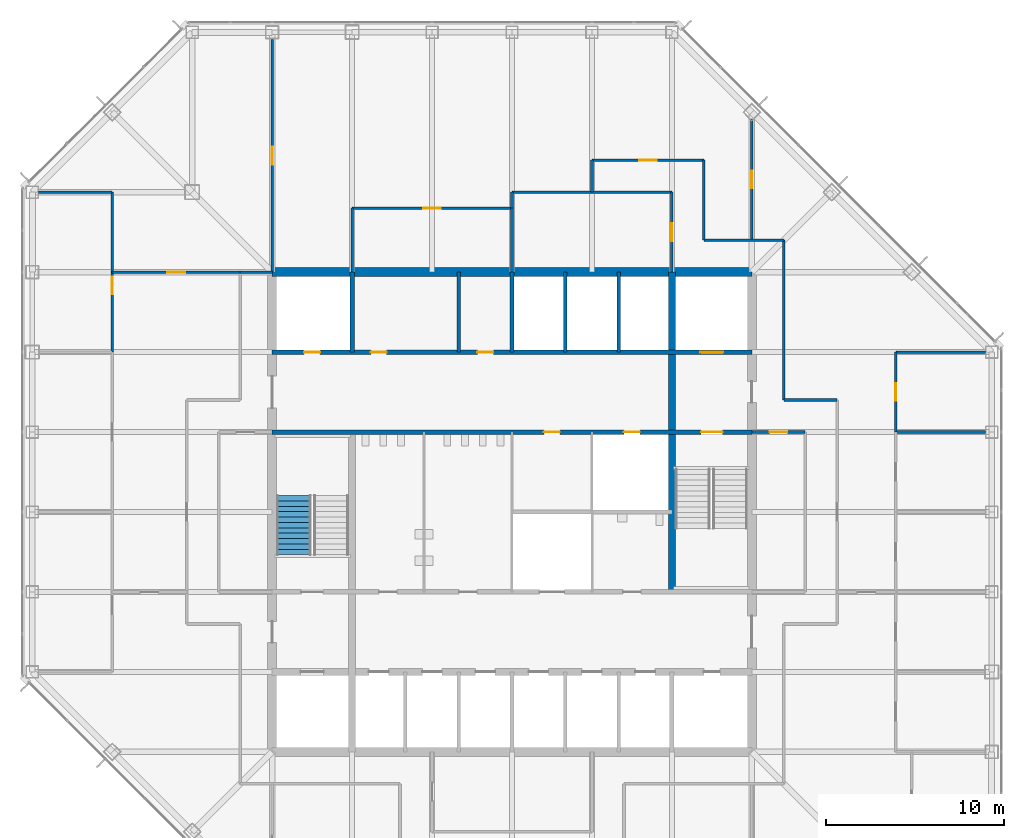
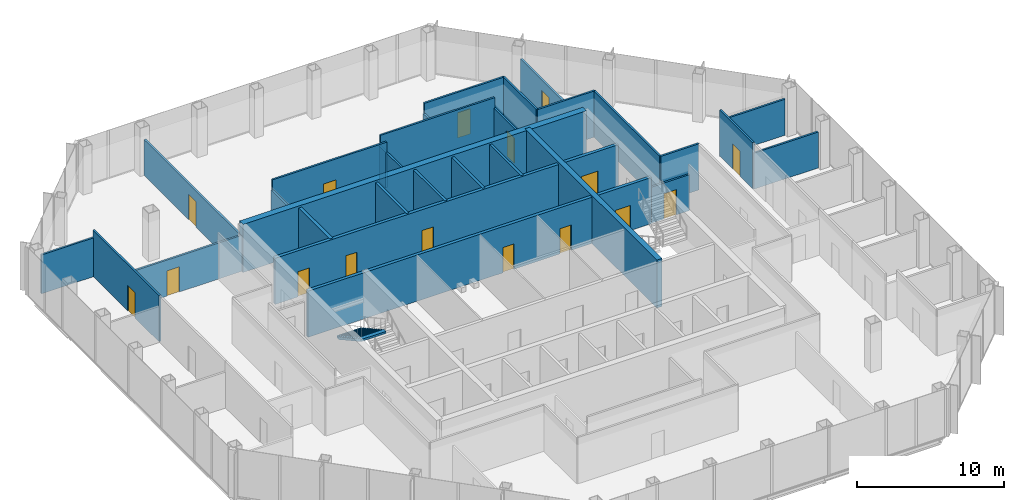
# One storey, part 10 of 13: 31 walls, 16 doors, 1 stair flight, 16 openings, 1 element without a shape of its own.
"""IFC4 building model written with IfcOpenShell, lengths in metres."""

from ifc_helpers import new_model, si_unit, direction, frame, frame_2d, origin, place, context, subcontext, project, spatial, polyline, rectangle, outline, extrude, material, layer, layer_set, type_object, element, fill, aggregate, save


model = new_model("IFC4")

# Units and contexts
model_context = context("Model", 3, precision=1e-05, world=origin(), true_north=direction((0.0, 1.0)))
body_context = subcontext(model_context, "Body", "Model", "MODEL_VIEW")
ifc_project = project(units=[si_unit("LENGTHUNIT", "METRE"), si_unit("AREAUNIT", "SQUARE_METRE"), si_unit("VOLUMEUNIT", "CUBIC_METRE"), si_unit("PLANEANGLEUNIT", "RADIAN"), si_unit("MASSUNIT", "GRAM", prefix="KILO")], contexts=[model_context])

# Site, building, storey
site_placement = place(None, origin())
site = spatial("IfcSite", under=ifc_project, at=site_placement, CompositionType="ELEMENT")
building_placement = place(site_placement, origin())
building = spatial("IfcBuilding", under=site, at=building_placement, Name="Corais Broadcast Tower", CompositionType="ELEMENT")
storey_placement = place(building_placement, frame((0.0, 0.0, 179.60009765625)))
storey = spatial("IfcBuildingStorey", under=building, at=storey_placement, Name="L41", CompositionType="ELEMENT", Elevation=179.60009765625)

# Wall
ifc_material_1 = material(Name="Concrete blockwork class A, grouted, two-hour", Category="masonry")
ifc_layer_1 = layer(ifc_material_1, 0.25)
ifc_layer_set_1 = layer_set([ifc_layer_1], Name="Concrete blockwork class A, grouted, two-hour")
wall_type_1 = type_object("IfcWallType", Name="Core lobby wall 250", PredefinedType="SOLIDWALL", material=ifc_layer_set_1)
wall_1_placement = place(storey_placement, frame((18.0, 36.0, 0.0), z_axis=(0.0, 0.0, 1.0), x_axis=(0.0, 1.0, 0.0)))
element("IfcWall", 1, at=wall_1_placement, inside=storey, type_object=wall_type_1, Name="CL2 core shaft wall X18B L41", PredefinedType="SOLIDWALL", context=body_context, shape_type="SweptSolid", body=[
    extrude(rectangle(XDim=4.5, YDim=0.25, at=frame_2d((2.25, 0.0))), origin(), (0.0, 0.0, 1.0), 3.83984375),
])

# Wall, openings, doors
wall_2_placement = place(storey_placement, frame((13.5, 31.5, 0.0), z_axis=(0.0, 0.0, 1.0), x_axis=(1.0, 0.0, 0.0)))
wall_2 = element("IfcWall", 2, at=wall_2_placement, inside=storey, type_object=wall_type_1, Name="CL2 core lobby wall Y315 L41", PredefinedType="SOLIDWALL", context=body_context, shape_type="SweptSolid", body=[
    extrude(rectangle(XDim=27.0, YDim=0.25, at=frame_2d((13.5, 0.0))), origin(), (0.0, 0.0, 1.0), 3.83984375),
])
opening_1_placement = place(wall_2_placement, frame((24.14990234375, 0.0, 0.0)))
opening_1 = element("IfcOpeningElement", 3, at=opening_1_placement, cuts=wall_2, Name="Opening FD1", PredefinedType="OPENING", context=body_context, shape_type="SweptSolid", body=[
    extrude(rectangle(XDim=1.199951171875, YDim=2.10009765625, at=frame_2d((0.60009765625, 1.050048828125))), frame((0.0, 0.135009765625, 0.0), z_axis=(0.0, -1.0, 0.0), x_axis=(1.0, 0.0, 0.0)), (0.0, 0.0, 1.0), 0.27001953125),
])
opening_2_placement = place(wall_2_placement, frame((15.300048828125, 0.0, 0.0)))
opening_2 = element("IfcOpeningElement", 4, at=opening_2_placement, cuts=wall_2, Name="Opening RD1", PredefinedType="OPENING", context=body_context, shape_type="SweptSolid", body=[
    extrude(rectangle(XDim=0.89990234375, YDim=2.10009765625, at=frame_2d((0.449951171875, 1.050048828125))), frame((0.0, 0.135009765625, 0.0), z_axis=(0.0, -1.0, 0.0), x_axis=(1.0, 0.0, 0.0)), (0.0, 0.0, 1.0), 0.27001953125),
])
opening_3_placement = place(wall_2_placement, frame((19.800048828125, 0.0, 0.0)))
opening_3 = element("IfcOpeningElement", 5, at=opening_3_placement, cuts=wall_2, Name="Opening RD1", PredefinedType="OPENING", context=body_context, shape_type="SweptSolid", body=[
    extrude(rectangle(XDim=0.89990234375, YDim=2.10009765625, at=frame_2d((0.449951171875, 1.050048828125))), frame((0.0, 0.135009765625, 0.0), z_axis=(0.0, -1.0, 0.0), x_axis=(1.0, 0.0, 0.0)), (0.0, 0.0, 1.0), 0.27001953125),
])
ifc_material_2 = material(Name="Steel fire door", Category="steel")
door_type_1 = type_object("IfcDoorType", Name="Fire door 1200x2100", OperationType="SINGLE_SWING_LEFT", PredefinedType="DOOR", material=ifc_material_2)
door_1_placement = place(opening_1_placement, origin())
door_1 = element("IfcDoor", 6, at=door_1_placement, inside=storey, type_object=door_type_1, Name="FD1 stair B door L41", OperationType="SINGLE_SWING_RIGHT", OverallHeight=2.10009765625, OverallWidth=1.199951171875, PredefinedType="DOOR", context=body_context, shape_type="SweptSolid", body=[
    extrude(rectangle(XDim=1.199951171875, YDim=2.10009765625, at=frame_2d((0.60009765625, 1.050048828125))), frame((0.0, 0.02490234375, 0.0), z_axis=(0.0, -1.0, 0.0), x_axis=(1.0, 0.0, 0.0)), (0.0, 0.0, 1.0), 0.050048828125),
])
fill(opening_1, door_1)
ifc_material_3 = material(Name="Steel fire door", Category="steel")
door_type_2 = type_object("IfcDoorType", Name="Riser door 900x2100", OperationType="SINGLE_SWING_LEFT", PredefinedType="DOOR", material=ifc_material_3)
door_2_placement = place(opening_2_placement, origin())
door_2 = element("IfcDoor", 7, at=door_2_placement, inside=storey, type_object=door_type_2, Name="RD1 tea point door L41", OperationType="SINGLE_SWING_RIGHT", OverallHeight=2.10009765625, OverallWidth=0.89990234375, PredefinedType="DOOR", context=body_context, shape_type="SweptSolid", body=[
    extrude(rectangle(XDim=0.89990234375, YDim=2.10009765625, at=frame_2d((0.449951171875, 1.050048828125))), frame((0.0, 0.02490234375, 0.0), z_axis=(0.0, -1.0, 0.0), x_axis=(1.0, 0.0, 0.0)), (0.0, 0.0, 1.0), 0.050048828125),
])
fill(opening_2, door_2)
door_3_placement = place(opening_3_placement, origin())
door_3 = element("IfcDoor", 8, at=door_3_placement, inside=storey, type_object=door_type_2, Name="RD1 riser door L41", OperationType="SINGLE_SWING_RIGHT", OverallHeight=2.10009765625, OverallWidth=0.89990234375, PredefinedType="DOOR", context=body_context, shape_type="SweptSolid", body=[
    extrude(rectangle(XDim=0.89990234375, YDim=2.10009765625, at=frame_2d((0.449951171875, 1.050048828125))), frame((0.0, 0.02490234375, 0.0), z_axis=(0.0, -1.0, 0.0), x_axis=(1.0, 0.0, 0.0)), (0.0, 0.0, 1.0), 0.050048828125),
])
fill(opening_3, door_3)

# Walls
ifc_material_4 = material(Name="Concrete C50/60", Category="concrete")
ifc_layer_2 = layer(ifc_material_4, 0.39990234375)
ifc_layer_set_2 = layer_set([ifc_layer_2], Name="Concrete C50/60")
wall_type_2 = type_object("IfcWallType", Name="Core wall 400", PredefinedType="SHEAR", material=ifc_layer_set_2)
wall_3_placement = place(storey_placement, frame((36.0, 22.5, 0.0), z_axis=(0.0, 0.0, 1.0), x_axis=(0.0, 1.0, 0.0)))
element("IfcWall", 9, at=wall_3_placement, inside=storey, type_object=wall_type_2, Name="CR400 core wall X36B L41", PredefinedType="SHEAR", context=body_context, shape_type="SweptSolid", body=[
    extrude(rectangle(XDim=18.0, YDim=0.39990234375, at=frame_2d((9.0, 0.0))), origin(), (0.0, 0.0, 1.0), 4.0),
])
ifc_material_5 = material(Name="Concrete C50/60", Category="concrete")
ifc_layer_3 = layer(ifc_material_5, 0.5)
ifc_layer_set_3 = layer_set([ifc_layer_3], Name="Concrete C50/60")
wall_type_3 = type_object("IfcWallType", Name="Core wall 500", PredefinedType="SHEAR", material=ifc_layer_set_3)
wall_4_placement = place(storey_placement, frame((40.5, 40.5, 0.0), z_axis=(0.0, 0.0, 1.0), x_axis=(-1.0, 0.0, 0.0)))
element("IfcWall", 10, at=wall_4_placement, inside=storey, type_object=wall_type_3, Name="CR500 core wall N L41", PredefinedType="SHEAR", context=body_context, shape_type="SweptSolid", body=[
    extrude(rectangle(XDim=27.0, YDim=0.5, at=frame_2d((13.5, 0.0))), origin(), (0.0, 0.0, 1.0), 4.0),
])

# Wall, openings, doors
ifc_material_6 = material(Name="Concrete blockwork class A, grouted, four-hour", Category="masonry")
ifc_layer_4 = layer(ifc_material_6, 0.25)
ifc_layer_set_4 = layer_set([ifc_layer_4], Name="Concrete blockwork class A, grouted, four-hour")
wall_type_4 = type_object("IfcWallType", Name="Emergency lift shaft wall 250", PredefinedType="SOLIDWALL", material=ifc_layer_set_4)
wall_5_placement = place(storey_placement, frame((13.5, 36.0, 0.0), z_axis=(0.0, 0.0, 1.0), x_axis=(1.0, 0.0, 0.0)))
wall_5 = element("IfcWall", 11, at=wall_5_placement, inside=storey, type_object=wall_type_4, Name="LS2 core lobby wall Y36 L41", PredefinedType="SOLIDWALL", context=body_context, shape_type="SweptSolid", body=[
    extrude(rectangle(XDim=27.0, YDim=0.25, at=frame_2d((13.5, 0.0))), origin(), (0.0, 0.0, 1.0), 3.83984375),
])
opening_4_placement = place(wall_5_placement, frame((1.800048828125, 0.0, 0.0)))
opening_4 = element("IfcOpeningElement", 12, at=opening_4_placement, cuts=wall_5, Name="Opening RD1", PredefinedType="OPENING", context=body_context, shape_type="SweptSolid", body=[
    extrude(rectangle(XDim=0.89990234375, YDim=2.10009765625, at=frame_2d((0.449951171875, 1.050048828125))), frame((0.0, 0.135009765625, 0.0), z_axis=(0.0, -1.0, 0.0), x_axis=(1.0, 0.0, 0.0)), (0.0, 0.0, 1.0), 0.27001953125),
])
opening_5_placement = place(wall_5_placement, frame((5.550048828125, 0.0, 0.0)))
opening_5 = element("IfcOpeningElement", 13, at=opening_5_placement, cuts=wall_5, Name="Opening RD1", PredefinedType="OPENING", context=body_context, shape_type="SweptSolid", body=[
    extrude(rectangle(XDim=0.89990234375, YDim=2.10009765625, at=frame_2d((0.449951171875, 1.050048828125))), frame((0.0, 0.135009765625, 0.0), z_axis=(0.0, -1.0, 0.0), x_axis=(1.0, 0.0, 0.0)), (0.0, 0.0, 1.0), 0.27001953125),
])
opening_6_placement = place(wall_5_placement, frame((11.550048828125, 0.0, 0.0)))
opening_6 = element("IfcOpeningElement", 14, at=opening_6_placement, cuts=wall_5, Name="Opening RD1", PredefinedType="OPENING", context=body_context, shape_type="SweptSolid", body=[
    extrude(rectangle(XDim=0.89990234375, YDim=2.10009765625, at=frame_2d((0.449951171875, 1.050048828125))), frame((0.0, 0.135009765625, 0.0), z_axis=(0.0, -1.0, 0.0), x_axis=(1.0, 0.0, 0.0)), (0.0, 0.0, 1.0), 0.27001953125),
])
opening_7_placement = place(wall_5_placement, frame((24.10009765625, 0.0, 0.0)))
opening_7 = element("IfcOpeningElement", 15, at=opening_7_placement, cuts=wall_5, Name="Opening LD2", PredefinedType="OPENING", context=body_context, shape_type="SweptSolid", body=[
    extrude(rectangle(XDim=1.300048828125, YDim=2.199951171875, at=frame_2d((0.64990234375, 1.10009765625))), frame((0.0, 0.135009765625, 0.0), z_axis=(0.0, -1.0, 0.0), x_axis=(1.0, 0.0, 0.0)), (0.0, 0.0, 1.0), 0.27001953125),
])
ifc_material_7 = material(Name="Stainless steel lift door", Category="steel")
door_type_3 = type_object("IfcDoorType", Name="Lift landing door 1300x2200", OperationType="SLIDING_TO_LEFT", PredefinedType="DOOR", material=ifc_material_7)
door_4_placement = place(opening_7_placement, origin())
door_4 = element("IfcDoor", 16, at=door_4_placement, inside=storey, type_object=door_type_3, Name="LD2 FL2 landing door L41", OperationType="SLIDING_TO_LEFT", OverallHeight=2.199951171875, OverallWidth=1.300048828125, PredefinedType="DOOR", context=body_context, shape_type="SweptSolid", body=[
    extrude(rectangle(XDim=1.300048828125, YDim=2.199951171875, at=frame_2d((0.64990234375, 1.10009765625))), frame((0.0, 0.02490234375, 0.0), z_axis=(0.0, -1.0, 0.0), x_axis=(1.0, 0.0, 0.0)), (0.0, 0.0, 1.0), 0.050048828125),
])
fill(opening_7, door_4)
door_5_placement = place(opening_4_placement, origin())
door_5 = element("IfcDoor", 17, at=door_5_placement, inside=storey, type_object=door_type_2, Name="RD1 riser door L41", OperationType="SINGLE_SWING_LEFT", OverallHeight=2.10009765625, OverallWidth=0.89990234375, PredefinedType="DOOR", context=body_context, shape_type="SweptSolid", body=[
    extrude(rectangle(XDim=0.89990234375, YDim=2.10009765625, at=frame_2d((0.449951171875, 1.050048828125))), frame((0.0, 0.02490234375, 0.0), z_axis=(0.0, -1.0, 0.0), x_axis=(1.0, 0.0, 0.0)), (0.0, 0.0, 1.0), 0.050048828125),
])
fill(opening_4, door_5)
door_6_placement = place(opening_5_placement, origin())
door_6 = element("IfcDoor", 18, at=door_6_placement, inside=storey, type_object=door_type_2, Name="RD1 stationery store door L41", OperationType="SINGLE_SWING_LEFT", OverallHeight=2.10009765625, OverallWidth=0.89990234375, PredefinedType="DOOR", context=body_context, shape_type="SweptSolid", body=[
    extrude(rectangle(XDim=0.89990234375, YDim=2.10009765625, at=frame_2d((0.449951171875, 1.050048828125))), frame((0.0, 0.02490234375, 0.0), z_axis=(0.0, -1.0, 0.0), x_axis=(1.0, 0.0, 0.0)), (0.0, 0.0, 1.0), 0.050048828125),
])
fill(opening_5, door_6)
door_7_placement = place(opening_6_placement, origin())
door_7 = element("IfcDoor", 19, at=door_7_placement, inside=storey, type_object=door_type_2, Name="RD1 vending room door L41", OperationType="SINGLE_SWING_LEFT", OverallHeight=2.10009765625, OverallWidth=0.89990234375, PredefinedType="DOOR", context=body_context, shape_type="SweptSolid", body=[
    extrude(rectangle(XDim=0.89990234375, YDim=2.10009765625, at=frame_2d((0.449951171875, 1.050048828125))), frame((0.0, 0.02490234375, 0.0), z_axis=(0.0, -1.0, 0.0), x_axis=(1.0, 0.0, 0.0)), (0.0, 0.0, 1.0), 0.050048828125),
])
fill(opening_6, door_7)

# Wall
ifc_material_8 = material(Name="Gypsum board on steel studs", Category="steel")
ifc_layer_5 = layer(ifc_material_8, 0.14990234375)
ifc_layer_set_5 = layer_set([ifc_layer_5], Name="Gypsum board on steel studs")
wall_type_5 = type_object("IfcWallType", Name="Partition 150", PredefinedType="PARTITIONING", material=ifc_layer_set_5)
wall_6_placement = place(storey_placement, frame((42.300048828125, 33.300048828125, 0.0), z_axis=(0.0, 0.0, 1.0), x_axis=(0.0, 1.0, 0.0)))
element("IfcWall", 20, at=wall_6_placement, inside=storey, type_object=wall_type_5, Name="IW3 corridor wall L41", PredefinedType="PARTITIONING", context=body_context, shape_type="SweptSolid", body=[
    extrude(rectangle(XDim=9.0, YDim=0.14990234375, at=frame_2d((4.5, 0.0))), origin(), (0.0, 0.0, 1.0), 3.83984375),
])

# Wall, opening, door
wall_7_placement = place(storey_placement, frame((37.800048828125, 46.800048828125, 0.0), z_axis=(0.0, 0.0, 1.0), x_axis=(-1.0, 0.0, 0.0)))
wall_7 = element("IfcWall", 21, at=wall_7_placement, inside=storey, type_object=wall_type_5, Name="IW3 corridor wall L41", PredefinedType="PARTITIONING", context=body_context, shape_type="SweptSolid", body=[
    extrude(rectangle(XDim=6.300048828125, YDim=0.14990234375, at=frame_2d((3.14990234375, 0.0))), origin(), (0.0, 0.0, 1.0), 3.83984375),
])
opening_8_placement = place(wall_7_placement, frame((2.64990234375, 0.0, 0.0)))
opening_8 = element("IfcOpeningElement", 22, at=opening_8_placement, cuts=wall_7, Name="Opening D1", PredefinedType="OPENING", context=body_context, shape_type="SweptSolid", body=[
    extrude(rectangle(XDim=1.0, YDim=2.10009765625, at=frame_2d((0.5, 1.050048828125))), frame((0.0, 0.0849609375, 0.0), z_axis=(0.0, -1.0, 0.0), x_axis=(1.0, 0.0, 0.0)), (0.0, 0.0, 1.0), 0.169921875),
])
ifc_material_9 = material(Name="Timber door", Category="wood")
door_type_4 = type_object("IfcDoorType", Name="Single door 1000x2100", OperationType="SINGLE_SWING_LEFT", PredefinedType="DOOR", material=ifc_material_9)
door_8_placement = place(opening_8_placement, origin())
door_8 = element("IfcDoor", 23, at=door_8_placement, inside=storey, type_object=door_type_4, Name="D1 workplace door L41", OperationType="SINGLE_SWING_LEFT", OverallHeight=2.10009765625, OverallWidth=1.0, PredefinedType="DOOR", context=body_context, shape_type="SweptSolid", body=[
    extrude(rectangle(XDim=1.0, YDim=2.10009765625, at=frame_2d((0.5, 1.050048828125))), frame((0.0, 0.02490234375, 0.0), z_axis=(0.0, -1.0, 0.0), x_axis=(1.0, 0.0, 0.0)), (0.0, 0.0, 1.0), 0.050048828125),
])
fill(opening_8, door_8)

# Walls
for number, where, z_axis, x_axis, name in (
    (24, (37.800048828125, 42.300048828125, 0.0), (0.0, 0.0, 1.0), (0.0, 1.0, 0.0), "IW3 corridor wall L41"),
    (25, (42.300048828125, 42.300048828125, 0.0), (0.0, 0.0, 1.0), (-1.0, 0.0, 0.0), "IW3 corridor wall L41"),
):
    element("IfcWall", number, at=place(storey_placement, frame(where, z_axis=z_axis, x_axis=x_axis)), inside=storey, type_object=wall_type_5, Name=name, PredefinedType="PARTITIONING", context=body_context, shape_type="SweptSolid", body=[
        extrude(rectangle(XDim=4.5, YDim=0.14990234375, at=frame_2d((2.25, 0.0))), origin(), (0.0, 0.0, 1.0), 3.83984375),
    ])
wall_8_placement = place(storey_placement, frame((45.300048828125, 33.300048828125, 0.0), z_axis=(0.0, 0.0, 1.0), x_axis=(-1.0, 0.0, 0.0)))
element("IfcWall", 26, at=wall_8_placement, inside=storey, type_object=wall_type_5, Name="IW3 corridor wall L41", PredefinedType="PARTITIONING", context=body_context, shape_type="SweptSolid", body=[
    extrude(rectangle(XDim=3.0, YDim=0.14990234375, at=frame_2d((1.5, 0.0))), origin(), (0.0, 0.0, 1.0), 3.83984375),
])
wall_9_placement = place(storey_placement, frame((13.510009765625, 40.5, 0.0), z_axis=(0.0, 0.0, 1.0), x_axis=(-1.0, 0.0, 0.0)))
element("IfcWall", 27, at=wall_9_placement, inside=storey, type_object=wall_type_5, Name="IW3 corridor wall L41", PredefinedType="PARTITIONING", context=body_context, shape_type="SweptSolid", body=[
    extrude(rectangle(XDim=1.81005859375, YDim=0.14990234375, at=frame_2d((0.905029296875, 0.0))), origin(), (0.0, 0.0, 1.0), 2.989013671875),
])
wall_10_placement = place(storey_placement, frame((31.5, 46.800048828125, 0.0), z_axis=(0.0, 0.0, 1.0), x_axis=(0.0, -1.0, 0.0)))
element("IfcWall", 28, at=wall_10_placement, inside=storey, type_object=wall_type_5, Name="IW3 corridor wall L41", PredefinedType="PARTITIONING", context=body_context, shape_type="SweptSolid", body=[
    extrude(rectangle(XDim=1.800048828125, YDim=0.14990234375, at=frame_2d((0.89990234375, 0.0))), origin(), (0.0, 0.0, 1.0), 2.989013671875),
])

# Wall, opening, door
wall_11_placement = place(storey_placement, frame((4.5, 36.0, 0.0), z_axis=(0.0, 0.0, 1.0), x_axis=(0.0, 1.0, 0.0)))
wall_11 = element("IfcWall", 29, at=wall_11_placement, inside=storey, type_object=wall_type_5, Name="IW3 partition L41", PredefinedType="PARTITIONING", context=body_context, shape_type="SweptSolid", body=[
    extrude(rectangle(XDim=9.0, YDim=0.14990234375, at=frame_2d((4.5, 0.0))), origin(), (0.0, 0.0, 1.0), 3.83984375),
])
opening_9_placement = place(wall_11_placement, frame((3.25, 0.0, 0.0)))
opening_9 = element("IfcOpeningElement", 30, at=opening_9_placement, cuts=wall_11, Name="Opening D1", PredefinedType="OPENING", context=body_context, shape_type="SweptSolid", body=[
    extrude(rectangle(XDim=1.0, YDim=2.10009765625, at=frame_2d((0.5, 1.050048828125))), frame((0.0, 0.0849609375, 0.0), z_axis=(0.0, -1.0, 0.0), x_axis=(1.0, 0.0, 0.0)), (0.0, 0.0, 1.0), 0.169921875),
])
door_9_placement = place(opening_9_placement, origin())
door_9 = element("IfcDoor", 31, at=door_9_placement, inside=storey, type_object=door_type_4, Name="D1 Office door", OperationType="SINGLE_SWING_LEFT", OverallHeight=2.10009765625, OverallWidth=1.0, PredefinedType="DOOR", context=body_context, shape_type="SweptSolid", body=[
    extrude(rectangle(XDim=1.0, YDim=2.10009765625, at=frame_2d((0.5, 1.050048828125))), frame((0.0, 0.02490234375, 0.0), z_axis=(0.0, -1.0, 0.0), x_axis=(1.0, 0.0, 0.0)), (0.0, 0.0, 1.0), 0.050048828125),
])
fill(opening_9, door_9)

# Walls
wall_12_placement = place(storey_placement, frame((4.5, 45.0, 0.0), z_axis=(0.0, 0.0, 1.0), x_axis=(-1.0, 0.0, 0.0)))
element("IfcWall", 32, at=wall_12_placement, inside=storey, type_object=wall_type_5, Name="IW3 partition L41", PredefinedType="PARTITIONING", context=body_context, shape_type="SweptSolid", body=[
    extrude(rectangle(XDim=4.139892578125, YDim=0.14990234375, at=frame_2d((2.06982421875, 0.0))), origin(), (0.0, 0.0, 1.0), 3.22900390625),
])
for number, where, z_axis, x_axis, name in (
    (33, (53.639892578125, 31.5, 0.0), (0.0, 0.0, 1.0), (-1.0, 0.0, 0.0), "IW3 partition L41"),
    (34, (53.639892578125, 36.0, 0.0), (0.0, 0.0, 1.0), (-1.0, 0.0, 0.0), "IW3 partition L41"),
):
    element("IfcWall", number, at=place(storey_placement, frame(where, z_axis=z_axis, x_axis=x_axis)), inside=storey, type_object=wall_type_5, Name=name, PredefinedType="PARTITIONING", context=body_context, shape_type="SweptSolid", body=[
        extrude(rectangle(XDim=5.039794921875, YDim=0.14990234375, at=frame_2d((2.52001953125, 0.0))), origin(), (0.0, 0.0, 1.0), 2.989013671875),
    ])

# Wall, opening, door
wall_13_placement = place(storey_placement, frame((48.60009765625, 36.0, 0.0), z_axis=(0.0, 0.0, 1.0), x_axis=(0.0, -1.0, 0.0)))
wall_13 = element("IfcWall", 35, at=wall_13_placement, inside=storey, type_object=wall_type_5, Name="IW3 partition L41", PredefinedType="PARTITIONING", context=body_context, shape_type="SweptSolid", body=[
    extrude(rectangle(XDim=4.5, YDim=0.14990234375, at=frame_2d((2.25, 0.0))), origin(), (0.0, 0.0, 1.0), 3.83984375),
])
opening_10_placement = place(wall_13_placement, frame((1.75, 0.0, 0.0)))
opening_10 = element("IfcOpeningElement", 36, at=opening_10_placement, cuts=wall_13, Name="Opening D1", PredefinedType="OPENING", context=body_context, shape_type="SweptSolid", body=[
    extrude(rectangle(XDim=1.0, YDim=2.10009765625, at=frame_2d((0.5, 1.050048828125))), frame((0.0, 0.0849609375, 0.0), z_axis=(0.0, -1.0, 0.0), x_axis=(1.0, 0.0, 0.0)), (0.0, 0.0, 1.0), 0.169921875),
])
door_10_placement = place(opening_10_placement, origin())
door_10 = element("IfcDoor", 37, at=door_10_placement, inside=storey, type_object=door_type_4, Name="D1 Office door", OperationType="SINGLE_SWING_LEFT", OverallHeight=2.10009765625, OverallWidth=1.0, PredefinedType="DOOR", context=body_context, shape_type="SweptSolid", body=[
    extrude(rectangle(XDim=1.0, YDim=2.10009765625, at=frame_2d((0.5, 1.050048828125))), frame((0.0, 0.02490234375, 0.0), z_axis=(0.0, -1.0, 0.0), x_axis=(1.0, 0.0, 0.0)), (0.0, 0.0, 1.0), 0.050048828125),
])
fill(opening_10, door_10)

# Wall
wall_14_placement = place(storey_placement, frame((27.0, 40.5, 0.0), z_axis=(0.0, 0.0, 1.0), x_axis=(0.0, 1.0, 0.0)))
element("IfcWall", 38, at=wall_14_placement, inside=storey, type_object=wall_type_5, Name="IW3 partition L41", PredefinedType="PARTITIONING", context=body_context, shape_type="SweptSolid", body=[
    extrude(rectangle(XDim=3.60009765625, YDim=0.14990234375, at=frame_2d((1.800048828125, 0.0))), origin(), (0.0, 0.0, 1.0), 2.989013671875),
])

# Wall, opening, door
wall_15_placement = place(storey_placement, frame((27.0, 44.10009765625, 0.0), z_axis=(0.0, 0.0, 1.0), x_axis=(-1.0, 0.0, 0.0)))
wall_15 = element("IfcWall", 39, at=wall_15_placement, inside=storey, type_object=wall_type_5, Name="IW3 partition L41", PredefinedType="PARTITIONING", context=body_context, shape_type="SweptSolid", body=[
    extrude(rectangle(XDim=9.0, YDim=0.14990234375, at=frame_2d((4.5, 0.0))), origin(), (0.0, 0.0, 1.0), 3.83984375),
])
opening_11_placement = place(wall_15_placement, frame((4.0, 0.0, 0.0)))
opening_11 = element("IfcOpeningElement", 40, at=opening_11_placement, cuts=wall_15, Name="Opening D1", PredefinedType="OPENING", context=body_context, shape_type="SweptSolid", body=[
    extrude(rectangle(XDim=1.0, YDim=2.10009765625, at=frame_2d((0.5, 1.050048828125))), frame((0.0, 0.0849609375, 0.0), z_axis=(0.0, -1.0, 0.0), x_axis=(1.0, 0.0, 0.0)), (0.0, 0.0, 1.0), 0.169921875),
])
door_11_placement = place(opening_11_placement, origin())
door_11 = element("IfcDoor", 41, at=door_11_placement, inside=storey, type_object=door_type_4, Name="D1 Pantry door", OperationType="SINGLE_SWING_LEFT", OverallHeight=2.10009765625, OverallWidth=1.0, PredefinedType="DOOR", context=body_context, shape_type="SweptSolid", body=[
    extrude(rectangle(XDim=1.0, YDim=2.10009765625, at=frame_2d((0.5, 1.050048828125))), frame((0.0, 0.02490234375, 0.0), z_axis=(0.0, -1.0, 0.0), x_axis=(1.0, 0.0, 0.0)), (0.0, 0.0, 1.0), 0.050048828125),
])
fill(opening_11, door_11)

# Wall
wall_16_placement = place(storey_placement, frame((18.0, 44.10009765625, 0.0), z_axis=(0.0, 0.0, 1.0), x_axis=(0.0, -1.0, 0.0)))
element("IfcWall", 42, at=wall_16_placement, inside=storey, type_object=wall_type_5, Name="IW3 partition L41", PredefinedType="PARTITIONING", context=body_context, shape_type="SweptSolid", body=[
    extrude(rectangle(XDim=3.60009765625, YDim=0.14990234375, at=frame_2d((1.800048828125, 0.0))), origin(), (0.0, 0.0, 1.0), 2.989013671875),
])

# Wall, opening, door
wall_17_placement = place(storey_placement, frame((36.0, 40.5, 0.0), z_axis=(0.0, 0.0, 1.0), x_axis=(0.0, 1.0, 0.0)))
wall_17 = element("IfcWall", 43, at=wall_17_placement, inside=storey, type_object=wall_type_5, Name="IW3 partition L41", PredefinedType="PARTITIONING", context=body_context, shape_type="SweptSolid", body=[
    extrude(rectangle(XDim=4.5, YDim=0.14990234375, at=frame_2d((2.25, 0.0))), origin(), (0.0, 0.0, 1.0), 2.989013671875),
])
opening_12_placement = place(wall_17_placement, frame((1.75, 0.0, 0.0)))
opening_12 = element("IfcOpeningElement", 44, at=opening_12_placement, cuts=wall_17, Name="Opening D1", PredefinedType="OPENING", context=body_context, shape_type="SweptSolid", body=[
    extrude(rectangle(XDim=1.0, YDim=2.10009765625, at=frame_2d((0.5, 1.050048828125))), frame((0.0, 0.0849609375, 0.0), z_axis=(0.0, -1.0, 0.0), x_axis=(1.0, 0.0, 0.0)), (0.0, 0.0, 1.0), 0.169921875),
])
door_12_placement = place(opening_12_placement, origin())
door_12 = element("IfcDoor", 45, at=door_12_placement, inside=storey, type_object=door_type_4, Name="D1 Meeting room door", OperationType="SINGLE_SWING_LEFT", OverallHeight=2.10009765625, OverallWidth=1.0, PredefinedType="DOOR", context=body_context, shape_type="SweptSolid", body=[
    extrude(rectangle(XDim=1.0, YDim=2.10009765625, at=frame_2d((0.5, 1.050048828125))), frame((0.0, 0.02490234375, 0.0), z_axis=(0.0, -1.0, 0.0), x_axis=(1.0, 0.0, 0.0)), (0.0, 0.0, 1.0), 0.050048828125),
])
fill(opening_12, door_12)

# Walls
wall_18_placement = place(storey_placement, frame((36.0, 45.0, 0.0), z_axis=(0.0, 0.0, 1.0), x_axis=(-1.0, 0.0, 0.0)))
element("IfcWall", 46, at=wall_18_placement, inside=storey, type_object=wall_type_5, Name="IW3 partition L41", PredefinedType="PARTITIONING", context=body_context, shape_type="SweptSolid", body=[
    extrude(rectangle(XDim=9.0, YDim=0.14990234375, at=frame_2d((4.5, 0.0))), origin(), (0.0, 0.0, 1.0), 3.83984375),
])
wall_19_placement = place(storey_placement, frame((27.0, 45.0, 0.0), z_axis=(0.0, 0.0, 1.0), x_axis=(0.0, -1.0, 0.0)))
element("IfcWall", 47, at=wall_19_placement, inside=storey, type_object=wall_type_5, Name="IW3 partition L41", PredefinedType="PARTITIONING", context=body_context, shape_type="SweptSolid", body=[
    extrude(rectangle(XDim=0.89990234375, YDim=0.14990234375, at=frame_2d((0.449951171875, 0.0))), origin(), (0.0, 0.0, 1.0), 2.989013671875),
])

# Wall, opening, door
wall_20_placement = place(storey_placement, frame((43.5, 31.5, 0.0), z_axis=(0.0, 0.0, 1.0), x_axis=(-1.0, 0.0, 0.0)))
wall_20 = element("IfcWall", 48, at=wall_20_placement, inside=storey, type_object=wall_type_5, Name="IW3 partition L41", PredefinedType="PARTITIONING", context=body_context, shape_type="SweptSolid", body=[
    extrude(rectangle(XDim=3.0, YDim=0.14990234375, at=frame_2d((1.5, 0.0))), origin(), (0.0, 0.0, 1.0), 2.989013671875),
])
opening_13_placement = place(wall_20_placement, frame((1.0, 0.0, 0.0)))
opening_13 = element("IfcOpeningElement", 49, at=opening_13_placement, cuts=wall_20, Name="Opening D1", PredefinedType="OPENING", context=body_context, shape_type="SweptSolid", body=[
    extrude(rectangle(XDim=1.0, YDim=2.10009765625, at=frame_2d((0.5, 1.050048828125))), frame((0.0, 0.0849609375, 0.0), z_axis=(0.0, -1.0, 0.0), x_axis=(1.0, 0.0, 0.0)), (0.0, 0.0, 1.0), 0.169921875),
])
door_13_placement = place(opening_13_placement, origin())
door_13 = element("IfcDoor", 50, at=door_13_placement, inside=storey, type_object=door_type_4, Name="D1 Breakout lounge door", OperationType="SINGLE_SWING_LEFT", OverallHeight=2.10009765625, OverallWidth=1.0, PredefinedType="DOOR", context=body_context, shape_type="SweptSolid", body=[
    extrude(rectangle(XDim=1.0, YDim=2.10009765625, at=frame_2d((0.5, 1.050048828125))), frame((0.0, 0.02490234375, 0.0), z_axis=(0.0, -1.0, 0.0), x_axis=(1.0, 0.0, 0.0)), (0.0, 0.0, 1.0), 0.050048828125),
])
fill(opening_13, door_13)

wall_21_placement = place(storey_placement, frame((13.5, 40.5, 0.0), z_axis=(0.0, 0.0, 1.0), x_axis=(0.0, 1.0, 0.0)))
wall_21 = element("IfcWall", 51, at=wall_21_placement, inside=storey, type_object=wall_type_5, Name="IW3 partition L41", PredefinedType="PARTITIONING", context=body_context, shape_type="SweptSolid", body=[
    extrude(rectangle(XDim=13.10498046875, YDim=0.14990234375, at=frame_2d((6.552490234375, 0.0))), origin(), (0.0, 0.0, 1.0), 2.989013671875),
])
opening_14_placement = place(wall_21_placement, frame((6.052490234375, 0.0, 0.0)))
opening_14 = element("IfcOpeningElement", 52, at=opening_14_placement, cuts=wall_21, Name="Opening D1", PredefinedType="OPENING", context=body_context, shape_type="SweptSolid", body=[
    extrude(rectangle(XDim=1.0, YDim=2.10009765625, at=frame_2d((0.5, 1.050048828125))), frame((0.0, 0.0849609375, 0.0), z_axis=(0.0, -1.0, 0.0), x_axis=(1.0, 0.0, 0.0)), (0.0, 0.0, 1.0), 0.169921875),
])
door_14_placement = place(opening_14_placement, origin())
door_14 = element("IfcDoor", 53, at=door_14_placement, inside=storey, type_object=door_type_4, Name="D1 team room door L41", OperationType="SINGLE_SWING_LEFT", OverallHeight=2.10009765625, OverallWidth=1.0, PredefinedType="DOOR", context=body_context, shape_type="SweptSolid", body=[
    extrude(rectangle(XDim=1.0, YDim=2.10009765625, at=frame_2d((0.5, 1.050048828125))), frame((0.0, 0.02490234375, 0.0), z_axis=(0.0, -1.0, 0.0), x_axis=(1.0, 0.0, 0.0)), (0.0, 0.0, 1.0), 0.050048828125),
])
fill(opening_14, door_14)

wall_22_placement = place(storey_placement, frame((40.5, 49.1298828125, 0.0), z_axis=(0.0, 0.0, 1.0), x_axis=(0.0, -1.0, 0.0)))
wall_22 = element("IfcWall", 54, at=wall_22_placement, inside=storey, type_object=wall_type_5, Name="IW3 partition L41", PredefinedType="PARTITIONING", context=body_context, shape_type="SweptSolid", body=[
    extrude(rectangle(XDim=6.829833984375, YDim=0.14990234375, at=frame_2d((3.4150390625, 0.0))), origin(), (0.0, 0.0, 1.0), 2.989013671875),
])
opening_15_placement = place(wall_22_placement, frame((2.9150390625, 0.0, 0.0)))
opening_15 = element("IfcOpeningElement", 55, at=opening_15_placement, cuts=wall_22, Name="Opening D1", PredefinedType="OPENING", context=body_context, shape_type="SweptSolid", body=[
    extrude(rectangle(XDim=1.0, YDim=2.10009765625, at=frame_2d((0.5, 1.050048828125))), frame((0.0, 0.0849609375, 0.0), z_axis=(0.0, -1.0, 0.0), x_axis=(1.0, 0.0, 0.0)), (0.0, 0.0, 1.0), 0.169921875),
])
door_15_placement = place(opening_15_placement, origin())
door_15 = element("IfcDoor", 56, at=door_15_placement, inside=storey, type_object=door_type_4, Name="D1 team room door L41", OperationType="SINGLE_SWING_LEFT", OverallHeight=2.10009765625, OverallWidth=1.0, PredefinedType="DOOR", context=body_context, shape_type="SweptSolid", body=[
    extrude(rectangle(XDim=1.0, YDim=2.10009765625, at=frame_2d((0.5, 1.050048828125))), frame((0.0, 0.02490234375, 0.0), z_axis=(0.0, -1.0, 0.0), x_axis=(1.0, 0.0, 0.0)), (0.0, 0.0, 1.0), 0.050048828125),
])
fill(opening_15, door_15)

wall_23_placement = place(storey_placement, frame((11.719970703125, 40.5, 0.0), z_axis=(0.0, 0.0, 1.0), x_axis=(-1.0, 0.0, 0.0)))
wall_23 = element("IfcWall", 57, at=wall_23_placement, inside=storey, type_object=wall_type_5, Name="IW3 partition L41", PredefinedType="PARTITIONING", context=body_context, shape_type="SweptSolid", body=[
    extrude(rectangle(XDim=7.219970703125, YDim=0.14990234375, at=frame_2d((3.60986328125, 0.0))), origin(), (0.0, 0.0, 1.0), 2.989013671875),
])
opening_16_placement = place(wall_23_placement, frame((3.110107421875, 0.0, 0.0)))
opening_16 = element("IfcOpeningElement", 58, at=opening_16_placement, cuts=wall_23, Name="Opening D1", PredefinedType="OPENING", context=body_context, shape_type="SweptSolid", body=[
    extrude(rectangle(XDim=1.0, YDim=2.10009765625, at=frame_2d((0.5, 1.050048828125))), frame((0.0, 0.0849609375, 0.0), z_axis=(0.0, -1.0, 0.0), x_axis=(1.0, 0.0, 0.0)), (0.0, 0.0, 1.0), 0.169921875),
])
door_16_placement = place(opening_16_placement, origin())
door_16 = element("IfcDoor", 59, at=door_16_placement, inside=storey, type_object=door_type_4, Name="D1 team room door L41", OperationType="SINGLE_SWING_LEFT", OverallHeight=2.10009765625, OverallWidth=1.0, PredefinedType="DOOR", context=body_context, shape_type="SweptSolid", body=[
    extrude(rectangle(XDim=1.0, YDim=2.10009765625, at=frame_2d((0.5, 1.050048828125))), frame((0.0, 0.02490234375, 0.0), z_axis=(0.0, -1.0, 0.0), x_axis=(1.0, 0.0, 0.0)), (0.0, 0.0, 1.0), 0.050048828125),
])
fill(opening_16, door_16)

# Walls
ifc_material_10 = material(Name="Concrete blockwork class A, grouted, two-hour", Category="masonry")
ifc_layer_6 = layer(ifc_material_10, 0.199951171875)
ifc_layer_set_6 = layer_set([ifc_layer_6], Name="Concrete blockwork class A, grouted, two-hour")
wall_type_6 = type_object("IfcWallType", Name="Shaft wall 200", PredefinedType="PARTITIONING", material=ifc_layer_set_6)
for number, where, z_axis, x_axis, name in (
    (60, (24.0, 36.0, 0.0), (0.0, 0.0, 1.0), (0.0, 1.0, 0.0), "IW1 shaft wall L41"),
    (61, (27.0, 36.0, 0.0), (0.0, 0.0, 1.0), (0.0, 1.0, 0.0), "IW1 shaft wall L41"),
    (62, (30.0, 36.0, 0.0), (0.0, 0.0, 1.0), (0.0, 1.0, 0.0), "IW1 shaft wall L41"),
    (63, (33.0, 36.0, 0.0), (0.0, 0.0, 1.0), (0.0, 1.0, 0.0), "IW1 shaft wall L41"),
):
    element("IfcWall", number, at=place(storey_placement, frame(where, z_axis=z_axis, x_axis=x_axis)), inside=storey, type_object=wall_type_6, Name=name, PredefinedType="PARTITIONING", context=body_context, shape_type="SweptSolid", body=[
        extrude(rectangle(XDim=4.5, YDim=0.199951171875, at=frame_2d((2.25, 0.0))), origin(), (0.0, 0.0, 1.0), 3.83984375),
    ])

# Stair, stair flight
ifc_material_11 = material(Name="Concrete C30/37", Category="concrete")
stair_type = type_object("IfcStairType", Name="Half-turn stair 4000", PredefinedType="HALF_TURN_STAIR", material=ifc_material_11)
stair_placement = place(storey_placement, origin())
stair = element("IfcStair", 64, at=stair_placement, inside=storey, type_object=stair_type, Name="Stair A L41", PredefinedType="HALF_TURN_STAIR")
ifc_material_12 = material(Name="Concrete C30/37", Category="concrete")
stair_flight_type = type_object("IfcStairFlightType", Name="Stair flight 4000", PredefinedType="STRAIGHT", material=ifc_material_12)
stair_flight_placement = place(storey_placement, frame((14.72509765625, 27.922119140625, 2.0), z_axis=(0.0, 0.0, 1.0), x_axis=(0.0, -1.0, 0.0)))
stair_flight = element("IfcStairFlight", 65, at=stair_flight_placement, type_object=stair_flight_type, Name="STA flight 2", NumberOfRisers=12, NumberOfTreads=11, PredefinedType="STRAIGHT", RiserHeight=0.166666667, TreadLength=0.302, context=body_context, shape_type="SweptSolid", body=[
    extrude(outline(polyline([(0.0, 0.0), (0.0, 0.166748046875), (0.302001953125, 0.166748046875), (0.302001953125, 0.333251953125), (0.60400390625, 0.333251953125), (0.60400390625, 0.5), (0.906005859375, 0.5), (0.906005859375, 0.666748046875), (1.2080078125, 0.666748046875), (1.2080078125, 0.833251953125), (1.510009765625, 0.833251953125), (1.510009765625, 1.0), (1.81201171875, 1.0), (1.81201171875, 1.166748046875), (2.114013671875, 1.166748046875), (2.114013671875, 1.333251953125), (2.416015625, 1.333251953125), (2.416015625, 1.5), (2.718017578125, 1.5), (2.718017578125, 1.666748046875), (3.02001953125, 1.666748046875), (3.02001953125, 1.833251953125), (3.322021484375, 1.833251953125), (3.322021484375, 2.0), (3.322021484375, 1.662109375), (0.310302734375, 0.0), (0.0, 0.0)])), frame((0.0, 0.97509765625, 0.0), z_axis=(0.0, -1.0, 0.0), x_axis=(1.0, 0.0, 0.0)), (0.0, 0.0, 1.0), 1.949951171875),
])
aggregate(stair, [stair_flight])

save(model, "model.ifc")
